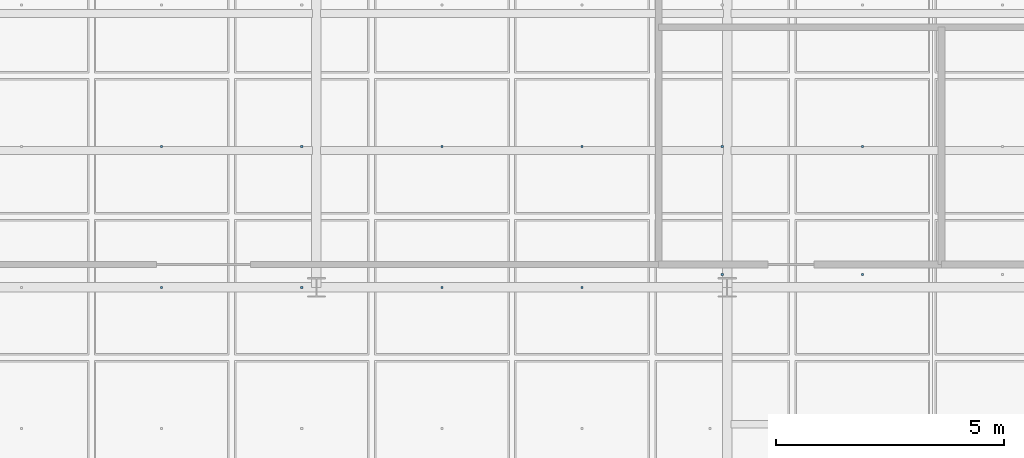
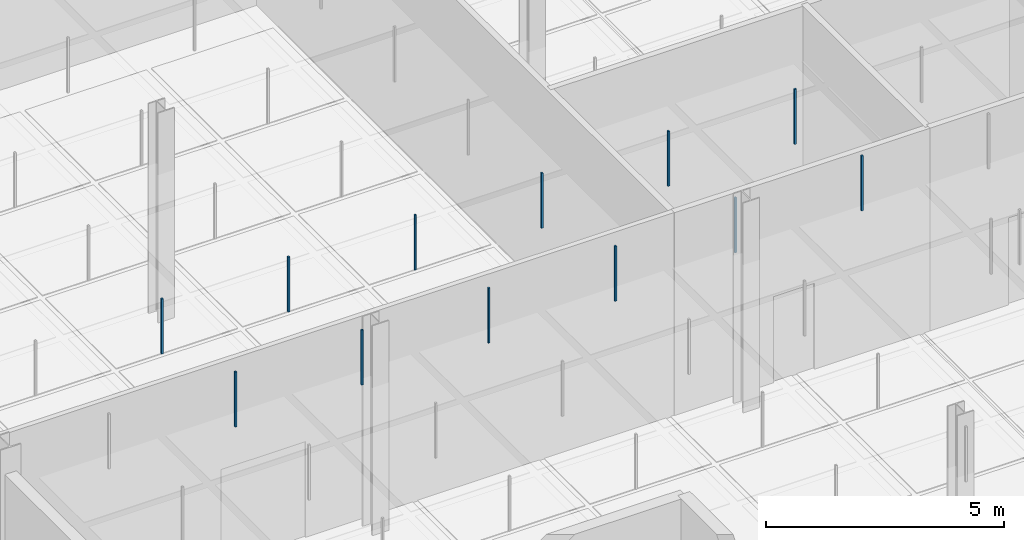
# One storey, part 111 of 180: 12 discrete accessories.
"""IFC4 building model written with IfcOpenShell, lengths in metres."""

from ifc_helpers import new_model, si_unit, direction, frame, origin, origin_2d, place, context, subcontext, project, spatial, rectangle, extrude, material, type_object, element, save


model = new_model("IFC4")

# Units and contexts
model_context = context("Model", 3, precision=1e-05, world=origin(), true_north=direction((0.0, 1.0)))
body_context = subcontext(model_context, "Body", "Model", "MODEL_VIEW")
ifc_project = project(units=[si_unit("LENGTHUNIT", "METRE"), si_unit("AREAUNIT", "SQUARE_METRE"), si_unit("VOLUMEUNIT", "CUBIC_METRE"), si_unit("PLANEANGLEUNIT", "RADIAN"), si_unit("MASSUNIT", "GRAM", prefix="KILO"), si_unit("THERMODYNAMICTEMPERATUREUNIT", "KELVIN"), si_unit("POWERUNIT", "WATT")], contexts=[model_context])

# Site, building, storey
site_placement = place(None, origin())
site = spatial("IfcSite", under=ifc_project, at=site_placement, CompositionType="ELEMENT")
building_placement = place(site_placement, origin())
building = spatial("IfcBuilding", under=site, at=building_placement, Name="Tallowbark Science Centre", CompositionType="ELEMENT")
storey_placement = place(building_placement, origin())
storey = spatial("IfcBuildingStorey", under=building, at=storey_placement, Name="L00", CompositionType="ELEMENT", Elevation=0.0)

# Discrete accessories
ifc_material = material(Name="Galvanised Steel Grade C350L0 (350 MPa)", Category="steel")
discrete_accessory_type = type_object("IfcDiscreteAccessoryType", Name="ACC-CLG-HNG", PredefinedType="BRACKET", material=ifc_material)
for number, where, z_axis, x_axis, name in (
    (1, (64.107177734375, 22.5, 3.8095703125), (0.0, 0.0, 1.0), (1.0, 0.0, 0.0), "Ceiling Hanger Bracket L00-85"),
    (2, (64.107177734375, 25.5908203125, 3.8095703125), (0.0, 0.0, 1.0), (1.0, 0.0, 0.0), "Ceiling Hanger Bracket L00-86"),
    (3, (67.1787109375, 22.5, 3.8095703125), (0.0, 0.0, 1.0), (1.0, 0.0, 0.0), "Ceiling Hanger Bracket L00-93"),
    (4, (67.1787109375, 25.5908203125, 3.8095703125), (0.0, 0.0, 1.0), (1.0, 0.0, 0.0), "Ceiling Hanger Bracket L00-94"),
    (5, (70.25, 22.5, 3.8095703125), (0.0, 0.0, 1.0), (1.0, 0.0, 0.0), "Ceiling Hanger Bracket L00-101"),
    (6, (70.25, 25.5908203125, 3.8095703125), (0.0, 0.0, 1.0), (1.0, 0.0, 0.0), "Ceiling Hanger Bracket L00-102"),
    (7, (73.3212890625, 22.5, 3.8095703125), (0.0, 0.0, 1.0), (1.0, 0.0, 0.0), "Ceiling Hanger Bracket L00-112"),
    (8, (73.3212890625, 25.5908203125, 3.8095703125), (0.0, 0.0, 1.0), (1.0, 0.0, 0.0), "Ceiling Hanger Bracket L00-113"),
    (9, (76.392822265625, 22.777587890625, 3.8095703125), (0.0, 0.0, 1.0), (1.0, 0.0, 0.0), "Ceiling Hanger Bracket L00-123"),
    (10, (76.392822265625, 25.5908203125, 3.8095703125), (0.0, 0.0, 1.0), (1.0, 0.0, 0.0), "Ceiling Hanger Bracket L00-124"),
    (11, (79.46435546875, 22.777587890625, 3.8095703125), (0.0, 0.0, 1.0), (1.0, 0.0, 0.0), "Ceiling Hanger Bracket L00-134"),
    (12, (79.46435546875, 25.5908203125, 3.8095703125), (0.0, 0.0, 1.0), (1.0, 0.0, 0.0), "Ceiling Hanger Bracket L00-135"),
):
    element("IfcDiscreteAccessory", number, at=place(storey_placement, frame(where, z_axis=z_axis, x_axis=x_axis)), inside=storey, type_object=discrete_accessory_type, Name=name, PredefinedType="BRACKET", context=body_context, shape_type="SweptSolid", body=[
        extrude(rectangle(XDim=0.044921875, YDim=0.044921875, at=origin_2d()), origin(), (0.0, 0.0, 1.0), 1.41357421875),
    ])

save(model, "model.ifc")
